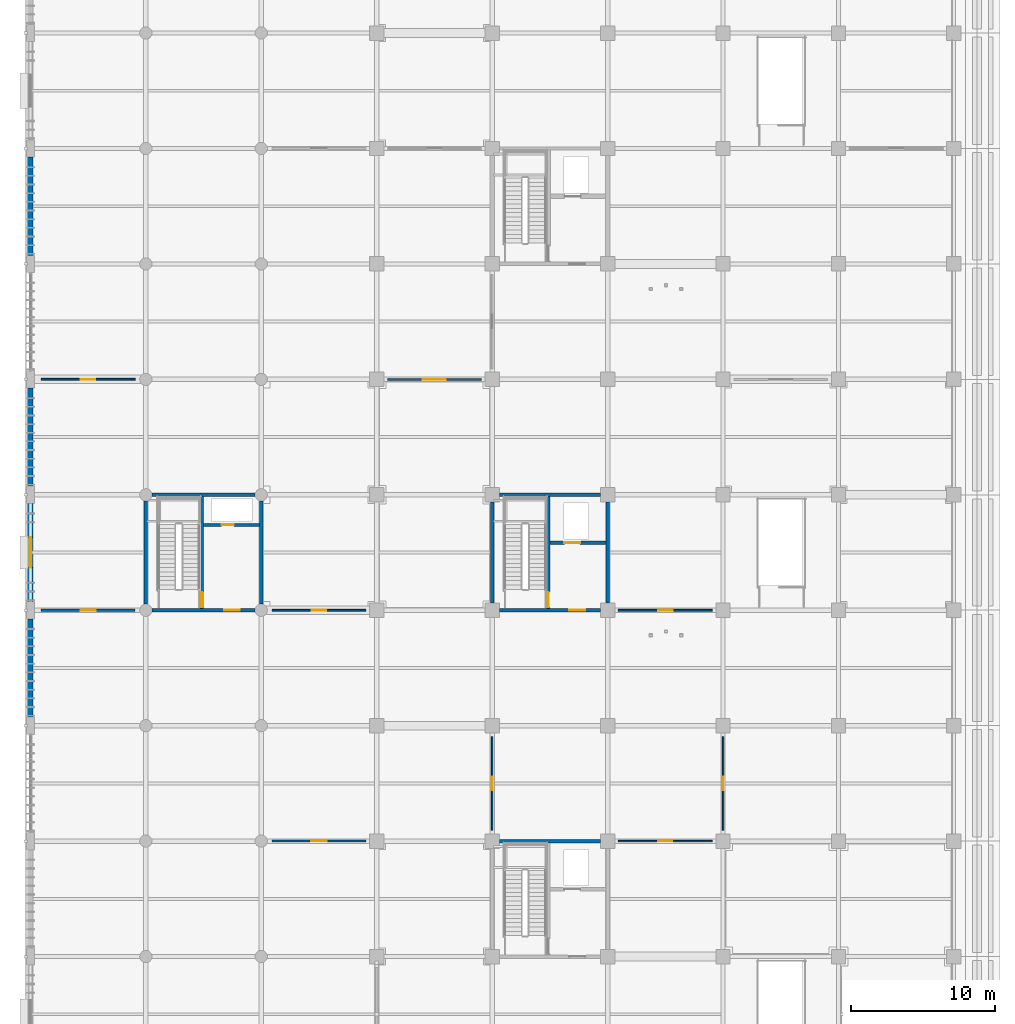
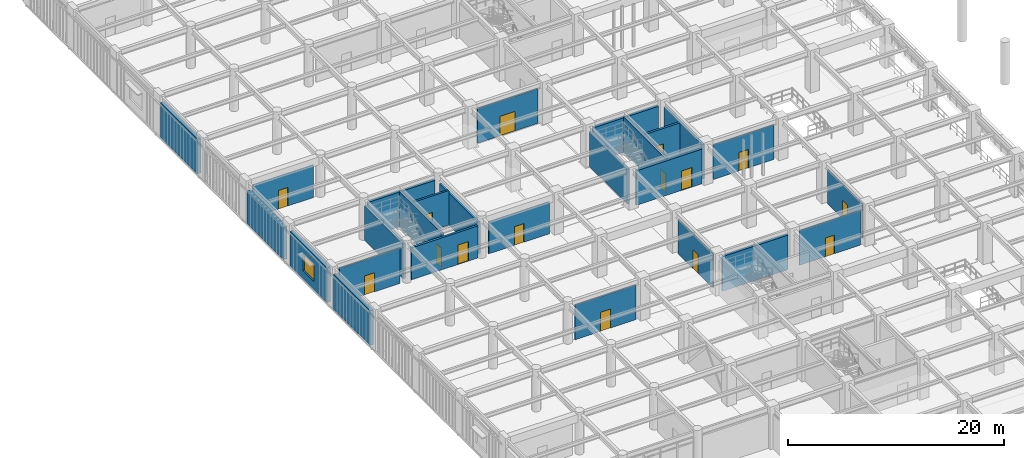
# One storey, part 74 of 117: 26 walls, 15 doors, 1 window, 16 openings.
"""IFC4 building model written with IfcOpenShell, lengths in metres."""

from ifc_helpers import new_model, si_unit, direction, frame, frame_2d, origin, place, context, subcontext, project, spatial, rectangle, extrude, material, layer, layer_set, type_object, element, fill, save


model = new_model("IFC4")

# Units and contexts
model_context = context("Model", 3, precision=1e-05, world=origin(), true_north=direction((0.0, 1.0)))
body_context = subcontext(model_context, "Body", "Model", "MODEL_VIEW")
ifc_project = project(units=[si_unit("LENGTHUNIT", "METRE"), si_unit("AREAUNIT", "SQUARE_METRE"), si_unit("VOLUMEUNIT", "CUBIC_METRE"), si_unit("PLANEANGLEUNIT", "RADIAN"), si_unit("MASSUNIT", "GRAM", prefix="KILO")], contexts=[model_context])

# Site, building, storey
site_placement = place(None, origin())
site = spatial("IfcSite", under=ifc_project, at=site_placement, CompositionType="ELEMENT")
building_placement = place(site_placement, origin())
building = spatial("IfcBuilding", under=site, at=building_placement, Name="Haebicheon Civic Stadium", CompositionType="ELEMENT")
storey_placement = place(building_placement, frame((0.0, 0.0, 4.800048828125)))
storey = spatial("IfcBuildingStorey", under=building, at=storey_placement, Name="L02", CompositionType="ELEMENT", Elevation=4.800048828125)

# Wall
ifc_material_1 = material(Name="Concrete C40/50", Category="concrete")
ifc_layer_1 = layer(ifc_material_1, 0.239990234375, Name="Concrete C40/50")
ifc_layer_set_1 = layer_set([ifc_layer_1], Name="Concrete C40/50")
wall_type_1 = type_object("IfcWallType", Name="CW-SHR-240", PredefinedType="SHEAR", material=ifc_layer_set_1)
wall_1_placement = place(storey_placement, frame((32.5, 64.0, 0.0), z_axis=(0.0, 0.0, 1.0), x_axis=(1.0, 0.0, 0.0)))
element("IfcWall", 1, at=wall_1_placement, inside=storey, type_object=wall_type_1, material=ifc_layer_set_1, Name="KC-02 L02 north core shear wall", PredefinedType="SHEAR", context=body_context, shape_type="SweptSolid", body=[
    extrude(rectangle(XDim=7.0, YDim=0.239990234375, at=frame_2d((3.5, 0.0))), origin(), (0.0, 0.0, 1.0), 3.909912109375),
])

# Wall, opening, door
wall_2_placement = place(storey_placement, frame((32.5, 80.0, 0.0), z_axis=(0.0, 0.0, 1.0), x_axis=(1.0, 0.0, 0.0)))
wall_2 = element("IfcWall", 2, at=wall_2_placement, inside=storey, type_object=wall_type_1, material=ifc_layer_set_1, Name="KC-03 L02 south core shear wall", PredefinedType="SHEAR", context=body_context, shape_type="SweptSolid", body=[
    extrude(rectangle(XDim=7.0, YDim=0.239990234375, at=frame_2d((3.5, 0.0))), origin(), (0.0, 0.0, 1.0), 3.909912109375),
])
opening_1_placement = place(wall_2_placement, frame((4.85009765625, 0.0, 0.0)))
opening_1 = element("IfcOpeningElement", 3, at=opening_1_placement, cuts=wall_2, Name="Opening D-L02-KC-03-LOB", PredefinedType="OPENING", context=body_context, shape_type="SweptSolid", body=[
    extrude(rectangle(XDim=1.10009765625, YDim=2.199951171875, at=frame_2d((0.550048828125, 1.10009765625))), frame((0.0, 0.1298828125, 0.0), z_axis=(0.0, -1.0, 0.0), x_axis=(1.0, 0.0, 0.0)), (0.0, 0.0, 1.0), 0.260009765625),
])
ifc_material_2 = material(Name="Galvanised painted steel SM355", Category="steel")
door_type_1 = type_object("IfcDoorType", Name="ID-FD-1100", OperationType="NOTDEFINED", PredefinedType="DOOR", material=ifc_material_2)
door_1_placement = place(opening_1_placement, origin())
door_1 = element("IfcDoor", 4, at=door_1_placement, inside=storey, type_object=door_type_1, material=ifc_material_2, Name="L02 KC-03 lobby fire door", OperationType="SINGLE_SWING_RIGHT", OverallHeight=2.199951171875, OverallWidth=1.10009765625, PredefinedType="DOOR", context=body_context, shape_type="SweptSolid", body=[
    extrude(rectangle(XDim=1.10009765625, YDim=2.199951171875, at=frame_2d((0.550048828125, 1.10009765625))), frame((0.0, 0.02490234375, 0.0), z_axis=(0.0, -1.0, 0.0), x_axis=(1.0, 0.0, 0.0)), (0.0, 0.0, 1.0), 0.050048828125),
])
fill(opening_1, door_1)

# Walls
for number, where, z_axis, x_axis, name in (
    (5, (32.5, 88.0, 0.0), (0.0, 0.0, 1.0), (1.0, 0.0, 0.0), "KC-03 L02 north core shear wall"),
    (6, (32.0, 80.5, 0.0), (0.0, 0.0, 1.0), (0.0, 1.0, 0.0), "KC-03 L02 west core shear wall"),
    (7, (40.0, 80.5, 0.0), (0.0, 0.0, 1.0), (0.0, 1.0, 0.0), "KC-03 L02 east core shear wall"),
):
    element("IfcWall", number, at=place(storey_placement, frame(where, z_axis=z_axis, x_axis=x_axis)), inside=storey, type_object=wall_type_1, material=ifc_layer_set_1, Name=name, PredefinedType="SHEAR", context=body_context, shape_type="SweptSolid", body=[
        extrude(rectangle(XDim=7.0, YDim=0.239990234375, at=frame_2d((3.5, 0.0))), origin(), (0.0, 0.0, 1.0), 3.909912109375),
    ])

# Wall, opening, door
wall_3_placement = place(storey_placement, frame((35.8798828125, 80.1201171875, 0.0), z_axis=(0.0, 0.0, 1.0), x_axis=(0.0, 1.0, 0.0)))
wall_3 = element("IfcWall", 8, at=wall_3_placement, inside=storey, type_object=wall_type_1, material=ifc_layer_set_1, Name="KC-03 L02 stair-lobby dividing shear wall", PredefinedType="SHEAR", context=body_context, shape_type="SweptSolid", body=[
    extrude(rectangle(XDim=7.759765625, YDim=0.239990234375, at=frame_2d((3.8798828125, 0.0))), origin(), (0.0, 0.0, 1.0), 4.010009765625),
])
opening_2_placement = place(wall_3_placement, frame((0.080078125, 0.0, 0.0)))
opening_2 = element("IfcOpeningElement", 9, at=opening_2_placement, cuts=wall_3, Name="Opening D-L02-KC-03-STR", PredefinedType="OPENING", context=body_context, shape_type="SweptSolid", body=[
    extrude(rectangle(XDim=1.050048828125, YDim=2.14990234375, at=frame_2d((0.52490234375, 1.074951171875))), frame((0.0, 0.1298828125, 0.0), z_axis=(0.0, -1.0, 0.0), x_axis=(1.0, 0.0, 0.0)), (0.0, 0.0, 1.0), 0.260009765625),
])
ifc_material_3 = material(Name="Galvanised painted steel SM355", Category="steel")
door_type_2 = type_object("IfcDoorType", Name="ID-FD-1050", OperationType="NOTDEFINED", PredefinedType="DOOR", material=ifc_material_3)
door_2_placement = place(opening_2_placement, origin())
door_2 = element("IfcDoor", 10, at=door_2_placement, inside=storey, type_object=door_type_2, material=ifc_material_3, Name="L02 ST-03 stairwell escape door", OperationType="SINGLE_SWING_LEFT", OverallHeight=2.14990234375, OverallWidth=1.050048828125, PredefinedType="DOOR", context=body_context, shape_type="SweptSolid", body=[
    extrude(rectangle(XDim=1.050048828125, YDim=2.14990234375, at=frame_2d((0.52490234375, 1.074951171875))), frame((0.0, 0.02490234375, 0.0), z_axis=(0.0, -1.0, 0.0), x_axis=(1.0, 0.0, 0.0)), (0.0, 0.0, 1.0), 0.050048828125),
])
fill(opening_2, door_2)

wall_4_placement = place(storey_placement, frame((36.0, 84.679931640625, 0.0), z_axis=(0.0, 0.0, 1.0), x_axis=(1.0, 0.0, 0.0)))
wall_4 = element("IfcWall", 11, at=wall_4_placement, inside=storey, type_object=wall_type_1, material=ifc_layer_set_1, Name="KC-03 L02 lift shaft front wall", PredefinedType="SHEAR", context=body_context, shape_type="SweptSolid", body=[
    extrude(rectangle(XDim=3.8798828125, YDim=0.239990234375, at=frame_2d((1.93994140625, 0.0))), origin(), (0.0, 0.0, 1.0), 3.909912109375),
])
opening_3_placement = place(wall_4_placement, frame((1.0, 0.0, 0.0)))
opening_3 = element("IfcOpeningElement", 12, at=opening_3_placement, cuts=wall_4, Name="Opening LD-03-L02", PredefinedType="OPENING", context=body_context, shape_type="SweptSolid", body=[
    extrude(rectangle(XDim=1.10009765625, YDim=2.14990234375, at=frame_2d((0.550048828125, 1.074951171875))), frame((0.0, 0.1298828125, 0.0), z_axis=(0.0, -1.0, 0.0), x_axis=(1.0, 0.0, 0.0)), (0.0, 0.0, 1.0), 0.260009765625),
])
ifc_material_4 = material(Name="Stainless steel 316", Category="steel")
door_type_3 = type_object("IfcDoorType", Name="ID-LD-1100", OperationType="NOTDEFINED", PredefinedType="DOOR", material=ifc_material_4)
door_3_placement = place(opening_3_placement, origin())
door_3 = element("IfcDoor", 13, at=door_3_placement, inside=storey, type_object=door_type_3, material=ifc_material_4, Name="LF-03 lift landing sliding door L02", OperationType="SLIDING_TO_LEFT", OverallHeight=2.14990234375, OverallWidth=1.10009765625, PredefinedType="DOOR", context=body_context, shape_type="SweptSolid", body=[
    extrude(rectangle(XDim=1.10009765625, YDim=2.14990234375, at=frame_2d((0.550048828125, 1.074951171875))), frame((0.0, 0.02490234375, 0.0), z_axis=(0.0, -1.0, 0.0), x_axis=(1.0, 0.0, 0.0)), (0.0, 0.0, 1.0), 0.050048828125),
])
fill(opening_3, door_3)

wall_5_placement = place(storey_placement, frame((8.425048828125, 80.0, 0.0), z_axis=(0.0, 0.0, 1.0), x_axis=(1.0, 0.0, 0.0)))
wall_5 = element("IfcWall", 14, at=wall_5_placement, inside=storey, type_object=wall_type_1, material=ifc_layer_set_1, Name="KC-15 L02 south core shear wall", PredefinedType="SHEAR", context=body_context, shape_type="SweptSolid", body=[
    extrude(rectangle(XDim=7.14990234375, YDim=0.239990234375, at=frame_2d((3.574951171875, 0.0))), origin(), (0.0, 0.0, 1.0), 3.60986328125),
])
opening_4_placement = place(wall_5_placement, frame((5.0, 0.0, 0.0)))
opening_4 = element("IfcOpeningElement", 15, at=opening_4_placement, cuts=wall_5, Name="Opening D-L02-KC-15-LOB", PredefinedType="OPENING", context=body_context, shape_type="SweptSolid", body=[
    extrude(rectangle(XDim=1.10009765625, YDim=2.199951171875, at=frame_2d((0.550048828125, 1.10009765625))), frame((0.0, 0.1298828125, 0.0), z_axis=(0.0, -1.0, 0.0), x_axis=(1.0, 0.0, 0.0)), (0.0, 0.0, 1.0), 0.260009765625),
])
door_4_placement = place(opening_4_placement, origin())
door_4 = element("IfcDoor", 16, at=door_4_placement, inside=storey, type_object=door_type_1, material=ifc_material_2, Name="L02 KC-15 lobby fire door", OperationType="SINGLE_SWING_RIGHT", OverallHeight=2.199951171875, OverallWidth=1.10009765625, PredefinedType="DOOR", context=body_context, shape_type="SweptSolid", body=[
    extrude(rectangle(XDim=1.10009765625, YDim=2.199951171875, at=frame_2d((0.550048828125, 1.10009765625))), frame((0.0, 0.02490234375, 0.0), z_axis=(0.0, -1.0, 0.0), x_axis=(1.0, 0.0, 0.0)), (0.0, 0.0, 1.0), 0.050048828125),
])
fill(opening_4, door_4)

# Walls
for number, where, z_axis, x_axis, name in (
    (17, (8.425048828125, 88.0, 0.0), (0.0, 0.0, 1.0), (1.0, 0.0, 0.0), "KC-15 L02 north core shear wall"),
    (18, (8.0, 80.425048828125, 0.0), (0.0, 0.0, 1.0), (0.0, 1.0, 0.0), "KC-15 L02 west core shear wall"),
):
    element("IfcWall", number, at=place(storey_placement, frame(where, z_axis=z_axis, x_axis=x_axis)), inside=storey, type_object=wall_type_1, material=ifc_layer_set_1, Name=name, PredefinedType="SHEAR", context=body_context, shape_type="SweptSolid", body=[
        extrude(rectangle(XDim=7.14990234375, YDim=0.239990234375, at=frame_2d((3.574951171875, 0.0))), origin(), (0.0, 0.0, 1.0), 3.909912109375),
    ])
wall_6_placement = place(storey_placement, frame((16.0, 80.425048828125, 0.0), z_axis=(0.0, 0.0, 1.0), x_axis=(0.0, 1.0, 0.0)))
element("IfcWall", 19, at=wall_6_placement, inside=storey, type_object=wall_type_1, material=ifc_layer_set_1, Name="KC-15 L02 east core shear wall", PredefinedType="SHEAR", context=body_context, shape_type="SweptSolid", body=[
    extrude(rectangle(XDim=7.14990234375, YDim=0.239990234375, at=frame_2d((3.574951171875, 0.0))), origin(), (0.0, 0.0, 1.0), 3.60986328125),
])

# Wall, opening, door
wall_7_placement = place(storey_placement, frame((11.8798828125, 80.1201171875, 0.0), z_axis=(0.0, 0.0, 1.0), x_axis=(0.0, 1.0, 0.0)))
wall_7 = element("IfcWall", 20, at=wall_7_placement, inside=storey, type_object=wall_type_1, material=ifc_layer_set_1, Name="KC-15 L02 stair-lobby dividing shear wall", PredefinedType="SHEAR", context=body_context, shape_type="SweptSolid", body=[
    extrude(rectangle(XDim=7.759765625, YDim=0.239990234375, at=frame_2d((3.8798828125, 0.0))), origin(), (0.0, 0.0, 1.0), 4.010009765625),
])
opening_5_placement = place(wall_7_placement, frame((0.080078125, 0.0, 0.0)))
opening_5 = element("IfcOpeningElement", 21, at=opening_5_placement, cuts=wall_7, Name="Opening D-L02-KC-15-STR", PredefinedType="OPENING", context=body_context, shape_type="SweptSolid", body=[
    extrude(rectangle(XDim=1.050048828125, YDim=2.14990234375, at=frame_2d((0.52490234375, 1.074951171875))), frame((0.0, 0.1298828125, 0.0), z_axis=(0.0, -1.0, 0.0), x_axis=(1.0, 0.0, 0.0)), (0.0, 0.0, 1.0), 0.260009765625),
])
door_5_placement = place(opening_5_placement, origin())
door_5 = element("IfcDoor", 22, at=door_5_placement, inside=storey, type_object=door_type_2, material=ifc_material_3, Name="L02 ST-15 stairwell escape door", OperationType="SINGLE_SWING_LEFT", OverallHeight=2.14990234375, OverallWidth=1.050048828125, PredefinedType="DOOR", context=body_context, shape_type="SweptSolid", body=[
    extrude(rectangle(XDim=1.050048828125, YDim=2.14990234375, at=frame_2d((0.52490234375, 1.074951171875))), frame((0.0, 0.02490234375, 0.0), z_axis=(0.0, -1.0, 0.0), x_axis=(1.0, 0.0, 0.0)), (0.0, 0.0, 1.0), 0.050048828125),
])
fill(opening_5, door_5)

# Wall
ifc_material_5 = material(Name="Concrete C40/50", Category="concrete")
ifc_layer_2 = layer(ifc_material_5, 0.3798828125, Name="Concrete C40/50")
ifc_layer_set_2 = layer_set([ifc_layer_2], Name="Concrete C40/50")
wall_type_2 = type_object("IfcWallType", Name="EW-BM-380", PredefinedType="SOLIDWALL", material=ifc_layer_set_2)
wall_8_placement = place(storey_placement, frame((0.0, 72.60009765625, 0.0), z_axis=(0.0, 0.0, 1.0), x_axis=(0.0, 1.0, 0.0)))
element("IfcWall", 23, at=wall_8_placement, inside=storey, type_object=wall_type_2, material=ifc_layer_set_2, Name="L02 board-marked concrete facade wall 00-09-W", PredefinedType="SOLIDWALL", context=body_context, shape_type="SweptSolid", body=[
    extrude(rectangle(XDim=6.7998046875, YDim=0.3798828125, at=frame_2d((3.39990234375, 0.0))), origin(), (0.0, 0.0, 1.0), 3.949951171875),
])

# Wall, opening, window
wall_9_placement = place(storey_placement, frame((0.0, 80.60009765625, 0.0), z_axis=(0.0, 0.0, 1.0), x_axis=(0.0, 1.0, 0.0)))
wall_9 = element("IfcWall", 24, at=wall_9_placement, inside=storey, type_object=wall_type_2, material=ifc_layer_set_2, Name="L02 board-marked concrete facade wall 00-10-W", PredefinedType="SOLIDWALL", context=body_context, shape_type="SweptSolid", body=[
    extrude(rectangle(XDim=6.7998046875, YDim=0.3798828125, at=frame_2d((3.39990234375, 0.0))), origin(), (0.0, 0.0, 1.0), 3.949951171875),
])
opening_6_placement = place(wall_9_placement, frame((2.35009765625, 0.0, 0.949951171875)))
opening_6 = element("IfcOpeningElement", 25, at=opening_6_placement, cuts=wall_9, Name="Opening WIN-210x190", PredefinedType="OPENING", context=body_context, shape_type="SweptSolid", body=[
    extrude(rectangle(XDim=2.10009765625, YDim=1.89990234375, at=frame_2d((1.050048828125, 0.949951171875))), frame((0.0, 0.199951171875, 0.0), z_axis=(0.0, -1.0, 0.0), x_axis=(1.0, 0.0, 0.0)), (0.0, 0.0, 1.0), 0.39990234375),
])
ifc_material_6 = material(Name="Anodised aluminium and laminated glass", Category="aluminium")
window_type = type_object("IfcWindowType", Name="WIN-210x190", PartitioningType="SINGLE_PANEL", PredefinedType="WINDOW", material=ifc_material_6)
window_placement = place(opening_6_placement, origin())
window = element("IfcWindow", 26, at=window_placement, inside=storey, type_object=window_type, material=ifc_material_6, Name="L02 facade window 031", OverallHeight=1.89990234375, OverallWidth=2.10009765625, PartitioningType="SINGLE_PANEL", PredefinedType="WINDOW", context=body_context, shape_type="SweptSolid", body=[
    extrude(rectangle(XDim=2.10009765625, YDim=1.89990234375, at=frame_2d((1.050048828125, 0.949951171875))), frame((0.0, 0.030029296875, 0.0), z_axis=(0.0, -1.0, 0.0), x_axis=(1.0, 0.0, 0.0)), (0.0, 0.0, 1.0), 0.06005859375),
])
fill(opening_6, window)

# Walls
wall_10_placement = place(storey_placement, frame((0.0, 88.60009765625, 0.0), z_axis=(0.0, 0.0, 1.0), x_axis=(0.0, 1.0, 0.0)))
element("IfcWall", 27, at=wall_10_placement, inside=storey, type_object=wall_type_2, material=ifc_layer_set_2, Name="L02 board-marked concrete facade wall 00-11-W", PredefinedType="SOLIDWALL", context=body_context, shape_type="SweptSolid", body=[
    extrude(rectangle(XDim=6.7998046875, YDim=0.3798828125, at=frame_2d((3.39990234375, 0.0))), origin(), (0.0, 0.0, 1.0), 3.669921875),
])
wall_11_placement = place(storey_placement, frame((0.0, 104.60009765625, 0.0), z_axis=(0.0, 0.0, 1.0), x_axis=(0.0, 1.0, 0.0)))
element("IfcWall", 28, at=wall_11_placement, inside=storey, type_object=wall_type_2, material=ifc_layer_set_2, Name="L02 board-marked concrete facade wall 00-13-W", PredefinedType="SOLIDWALL", context=body_context, shape_type="SweptSolid", body=[
    extrude(rectangle(XDim=6.7998046875, YDim=0.3798828125, at=frame_2d((3.39990234375, 0.0))), origin(), (0.0, 0.0, 1.0), 3.949951171875),
])

# Wall, opening, door
ifc_material_7 = material(Name="Concrete C35/45", Category="concrete")
ifc_layer_3 = layer(ifc_material_7, 0.199951171875, Name="Concrete C35/45")
ifc_layer_set_3 = layer_set([ifc_layer_3], Name="Concrete C35/45")
wall_type_3 = type_object("IfcWallType", Name="IW-FIR-200", PredefinedType="PARTITIONING", material=ifc_layer_set_3)
wall_12_placement = place(storey_placement, frame((12.0, 85.919921875, 0.0), z_axis=(0.0, 0.0, 1.0), x_axis=(1.0, 0.0, 0.0)))
wall_12 = element("IfcWall", 29, at=wall_12_placement, inside=storey, type_object=wall_type_3, material=ifc_layer_set_3, Name="KC-15 L02 service riser wall", PredefinedType="PARTITIONING", context=body_context, shape_type="SweptSolid", body=[
    extrude(rectangle(XDim=3.8798828125, YDim=0.199951171875, at=frame_2d((1.93994140625, 0.0))), origin(), (0.0, 0.0, 1.0), 3.909912109375),
])
opening_7_placement = place(wall_12_placement, frame((1.25, 0.0, 0.0)))
opening_7 = element("IfcOpeningElement", 30, at=opening_7_placement, cuts=wall_12, Name="Opening D-L02-KC-15-RSR", PredefinedType="OPENING", context=body_context, shape_type="SweptSolid", body=[
    extrude(rectangle(XDim=0.85009765625, YDim=2.050048828125, at=frame_2d((0.425048828125, 1.02490234375))), frame((0.0, 0.10986328125, 0.0), z_axis=(0.0, -1.0, 0.0), x_axis=(1.0, 0.0, 0.0)), (0.0, 0.0, 1.0), 0.219970703125),
])
ifc_material_8 = material(Name="Galvanised painted steel SM355", Category="steel")
door_type_4 = type_object("IfcDoorType", Name="ID-RSR-0850", OperationType="NOTDEFINED", PredefinedType="TRAPDOOR", material=ifc_material_8)
door_6_placement = place(opening_7_placement, origin())
door_6 = element("IfcDoor", 31, at=door_6_placement, inside=storey, type_object=door_type_4, material=ifc_material_8, Name="L02 KC-15 riser access door", OperationType="SINGLE_SWING_RIGHT", OverallHeight=2.050048828125, OverallWidth=0.85009765625, PredefinedType="TRAPDOOR", context=body_context, shape_type="SweptSolid", body=[
    extrude(rectangle(XDim=0.85009765625, YDim=2.050048828125, at=frame_2d((0.425048828125, 1.02490234375))), frame((0.0, 0.02490234375, 0.0), z_axis=(0.0, -1.0, 0.0), x_axis=(1.0, 0.0, 0.0)), (0.0, 0.0, 1.0), 0.050048828125),
])
fill(opening_7, door_6)

ifc_material_9 = material(Name="Anodised aluminium and laminated glass", Category="aluminium")
ifc_layer_4 = layer(ifc_material_9, 0.10009765625, Name="Anodised aluminium and laminated glass")
ifc_layer_set_4 = layer_set([ifc_layer_4], Name="Anodised aluminium and laminated glass")
wall_type_4 = type_object("IfcWallType", Name="IW-PRT-100", PredefinedType="PARTITIONING", material=ifc_layer_set_4)
wall_13_placement = place(storey_placement, frame((32.0, 64.75, 0.0), z_axis=(0.0, 0.0, 1.0), x_axis=(0.0, 1.0, 0.0)))
wall_13 = element("IfcWall", 32, at=wall_13_placement, inside=storey, type_object=wall_type_4, material=ifc_layer_set_4, Name="L02 First Aid Station partition wall", PredefinedType="PARTITIONING", context=body_context, shape_type="SweptSolid", body=[
    extrude(rectangle(XDim=6.5, YDim=0.10009765625, at=frame_2d((3.25, 0.0))), origin(), (0.0, 0.0, 1.0), 3.909912109375),
])
opening_8_placement = place(wall_13_placement, frame((2.77490234375, 0.0, 0.0)))
opening_8 = element("IfcOpeningElement", 33, at=opening_8_placement, cuts=wall_13, Name="Opening D-L02-189", PredefinedType="OPENING", context=body_context, shape_type="SweptSolid", body=[
    extrude(rectangle(XDim=0.949951171875, YDim=2.10009765625, at=frame_2d((0.47509765625, 1.050048828125))), frame((0.0, 0.06005859375, 0.0), z_axis=(0.0, -1.0, 0.0), x_axis=(1.0, 0.0, 0.0)), (0.0, 0.0, 1.0), 0.1201171875),
])
ifc_material_10 = material(Name="Engineered hardwood timber", Category="wood")
door_type_5 = type_object("IfcDoorType", Name="ID-RM-0950", OperationType="NOTDEFINED", PredefinedType="DOOR", material=ifc_material_10)
door_7_placement = place(opening_8_placement, origin())
door_7 = element("IfcDoor", 34, at=door_7_placement, inside=storey, type_object=door_type_5, material=ifc_material_10, Name="L02 First Aid Station entrance door D-L02-189", OperationType="SINGLE_SWING_RIGHT", OverallHeight=2.10009765625, OverallWidth=0.949951171875, PredefinedType="DOOR", context=body_context, shape_type="SweptSolid", body=[
    extrude(rectangle(XDim=0.949951171875, YDim=2.10009765625, at=frame_2d((0.47509765625, 1.050048828125))), frame((0.0, 0.02490234375, 0.0), z_axis=(0.0, -1.0, 0.0), x_axis=(1.0, 0.0, 0.0)), (0.0, 0.0, 1.0), 0.050048828125),
])
fill(opening_8, door_7)

wall_14_placement = place(storey_placement, frame((40.75, 64.0, 0.0), z_axis=(0.0, 0.0, 1.0), x_axis=(1.0, 0.0, 0.0)))
wall_14 = element("IfcWall", 35, at=wall_14_placement, inside=storey, type_object=wall_type_4, material=ifc_layer_set_4, Name="L02 Family Viewing Lounge partition wall", PredefinedType="PARTITIONING", context=body_context, shape_type="SweptSolid", body=[
    extrude(rectangle(XDim=6.5, YDim=0.10009765625, at=frame_2d((3.25, 0.0))), origin(), (0.0, 0.0, 1.0), 3.909912109375),
])
opening_9_placement = place(wall_14_placement, frame((2.77490234375, 0.0, 0.0)))
opening_9 = element("IfcOpeningElement", 36, at=opening_9_placement, cuts=wall_14, Name="Opening D-L02-195", PredefinedType="OPENING", context=body_context, shape_type="SweptSolid", body=[
    extrude(rectangle(XDim=0.949951171875, YDim=2.10009765625, at=frame_2d((0.47509765625, 1.050048828125))), frame((0.0, 0.06005859375, 0.0), z_axis=(0.0, -1.0, 0.0), x_axis=(1.0, 0.0, 0.0)), (0.0, 0.0, 1.0), 0.1201171875),
])
door_8_placement = place(opening_9_placement, origin())
door_8 = element("IfcDoor", 37, at=door_8_placement, inside=storey, type_object=door_type_5, material=ifc_material_10, Name="L02 Family Viewing Lounge entrance door D-L02-195", OperationType="SINGLE_SWING_LEFT", OverallHeight=2.10009765625, OverallWidth=0.949951171875, PredefinedType="DOOR", context=body_context, shape_type="SweptSolid", body=[
    extrude(rectangle(XDim=0.949951171875, YDim=2.10009765625, at=frame_2d((0.47509765625, 1.050048828125))), frame((0.0, 0.02490234375, 0.0), z_axis=(0.0, -1.0, 0.0), x_axis=(1.0, 0.0, 0.0)), (0.0, 0.0, 1.0), 0.050048828125),
])
fill(opening_9, door_8)

wall_15_placement = place(storey_placement, frame((48.0, 64.75, 0.0), z_axis=(0.0, 0.0, 1.0), x_axis=(0.0, 1.0, 0.0)))
wall_15 = element("IfcWall", 38, at=wall_15_placement, inside=storey, type_object=wall_type_4, material=ifc_layer_set_4, Name="L02 First Aid Station partition wall", PredefinedType="PARTITIONING", context=body_context, shape_type="SweptSolid", body=[
    extrude(rectangle(XDim=6.5, YDim=0.10009765625, at=frame_2d((3.25, 0.0))), origin(), (0.0, 0.0, 1.0), 3.909912109375),
])
opening_10_placement = place(wall_15_placement, frame((2.77490234375, 0.0, 0.0)))
opening_10 = element("IfcOpeningElement", 39, at=opening_10_placement, cuts=wall_15, Name="Opening D-L02-203", PredefinedType="OPENING", context=body_context, shape_type="SweptSolid", body=[
    extrude(rectangle(XDim=0.949951171875, YDim=2.10009765625, at=frame_2d((0.47509765625, 1.050048828125))), frame((0.0, 0.06005859375, 0.0), z_axis=(0.0, -1.0, 0.0), x_axis=(1.0, 0.0, 0.0)), (0.0, 0.0, 1.0), 0.1201171875),
])
door_9_placement = place(opening_10_placement, origin())
door_9 = element("IfcDoor", 40, at=door_9_placement, inside=storey, type_object=door_type_5, material=ifc_material_10, Name="L02 First Aid Station entrance door D-L02-203", OperationType="SINGLE_SWING_RIGHT", OverallHeight=2.10009765625, OverallWidth=0.949951171875, PredefinedType="DOOR", context=body_context, shape_type="SweptSolid", body=[
    extrude(rectangle(XDim=0.949951171875, YDim=2.10009765625, at=frame_2d((0.47509765625, 1.050048828125))), frame((0.0, 0.02490234375, 0.0), z_axis=(0.0, -1.0, 0.0), x_axis=(1.0, 0.0, 0.0)), (0.0, 0.0, 1.0), 0.050048828125),
])
fill(opening_10, door_9)

ifc_material_11 = material(Name="Gypsum plasterboard on steel studs", Category="gypsum")
ifc_layer_5 = layer(ifc_material_11, 0.1201171875, Name="Gypsum plasterboard on steel studs")
ifc_layer_set_5 = layer_set([ifc_layer_5], Name="Gypsum plasterboard on steel studs")
wall_type_5 = type_object("IfcWallType", Name="IW-PRT-120", PredefinedType="PARTITIONING", material=ifc_layer_set_5)
wall_16_placement = place(storey_placement, frame((0.75, 96.0, 0.0), z_axis=(0.0, 0.0, 1.0), x_axis=(1.0, 0.0, 0.0)))
wall_16 = element("IfcWall", 41, at=wall_16_placement, inside=storey, type_object=wall_type_5, material=ifc_layer_set_5, Name="L02 Club Museum Archive Gallery partition wall", PredefinedType="PARTITIONING", context=body_context, shape_type="SweptSolid", body=[
    extrude(rectangle(XDim=6.5, YDim=0.1201171875, at=frame_2d((3.25, 0.0))), origin(), (0.0, 0.0, 1.0), 3.669921875),
])
opening_11_placement = place(wall_16_placement, frame((2.75, 0.0, 0.0)))
opening_11 = element("IfcOpeningElement", 42, at=opening_11_placement, cuts=wall_16, Name="Opening D-L02-250", PredefinedType="OPENING", context=body_context, shape_type="SweptSolid", body=[
    extrude(rectangle(XDim=1.0, YDim=2.10009765625, at=frame_2d((0.5, 1.050048828125))), frame((0.0, 0.070068359375, 0.0), z_axis=(0.0, -1.0, 0.0), x_axis=(1.0, 0.0, 0.0)), (0.0, 0.0, 1.0), 0.14013671875),
])
ifc_material_12 = material(Name="Engineered hardwood timber", Category="wood")
door_type_6 = type_object("IfcDoorType", Name="ID-RM-1000", OperationType="NOTDEFINED", PredefinedType="DOOR", material=ifc_material_12)
door_10_placement = place(opening_11_placement, origin())
door_10 = element("IfcDoor", 43, at=door_10_placement, inside=storey, type_object=door_type_6, material=ifc_material_12, Name="L02 Club Museum Archive Gallery entrance door D-L02-250", OperationType="SINGLE_SWING_LEFT", OverallHeight=2.10009765625, OverallWidth=1.0, PredefinedType="DOOR", context=body_context, shape_type="SweptSolid", body=[
    extrude(rectangle(XDim=1.0, YDim=2.10009765625, at=frame_2d((0.5, 1.050048828125))), frame((0.0, 0.02490234375, 0.0), z_axis=(0.0, -1.0, 0.0), x_axis=(1.0, 0.0, 0.0)), (0.0, 0.0, 1.0), 0.050048828125),
])
fill(opening_11, door_10)

wall_17_placement = place(storey_placement, frame((16.75, 80.0, 0.0), z_axis=(0.0, 0.0, 1.0), x_axis=(1.0, 0.0, 0.0)))
wall_17 = element("IfcWall", 44, at=wall_17_placement, inside=storey, type_object=wall_type_5, material=ifc_layer_set_5, Name="L02 Club Museum Archive Gallery partition wall", PredefinedType="PARTITIONING", context=body_context, shape_type="SweptSolid", body=[
    extrude(rectangle(XDim=6.5, YDim=0.1201171875, at=frame_2d((3.25, 0.0))), origin(), (0.0, 0.0, 1.0), 3.60986328125),
])
opening_12_placement = place(wall_17_placement, frame((2.75, 0.0, 0.0)))
opening_12 = element("IfcOpeningElement", 45, at=opening_12_placement, cuts=wall_17, Name="Opening D-L02-254", PredefinedType="OPENING", context=body_context, shape_type="SweptSolid", body=[
    extrude(rectangle(XDim=1.0, YDim=2.10009765625, at=frame_2d((0.5, 1.050048828125))), frame((0.0, 0.070068359375, 0.0), z_axis=(0.0, -1.0, 0.0), x_axis=(1.0, 0.0, 0.0)), (0.0, 0.0, 1.0), 0.14013671875),
])
door_11_placement = place(opening_12_placement, origin())
door_11 = element("IfcDoor", 46, at=door_11_placement, inside=storey, type_object=door_type_6, material=ifc_material_12, Name="L02 Club Museum Archive Gallery entrance door D-L02-254", OperationType="SINGLE_SWING_LEFT", OverallHeight=2.10009765625, OverallWidth=1.0, PredefinedType="DOOR", context=body_context, shape_type="SweptSolid", body=[
    extrude(rectangle(XDim=1.0, YDim=2.10009765625, at=frame_2d((0.5, 1.050048828125))), frame((0.0, 0.02490234375, 0.0), z_axis=(0.0, -1.0, 0.0), x_axis=(1.0, 0.0, 0.0)), (0.0, 0.0, 1.0), 0.050048828125),
])
fill(opening_12, door_11)

ifc_material_13 = material(Name="Gypsum plasterboard on steel studs", Category="gypsum")
ifc_layer_6 = layer(ifc_material_13, 0.1298828125, Name="Gypsum plasterboard on steel studs")
ifc_layer_set_6 = layer_set([ifc_layer_6], Name="Gypsum plasterboard on steel studs")
wall_type_6 = type_object("IfcWallType", Name="IW-PRT-130", PredefinedType="PARTITIONING", material=ifc_layer_set_6)
wall_18_placement = place(storey_placement, frame((40.75, 80.0, 0.0), z_axis=(0.0, 0.0, 1.0), x_axis=(1.0, 0.0, 0.0)))
wall_18 = element("IfcWall", 47, at=wall_18_placement, inside=storey, type_object=wall_type_6, material=ifc_layer_set_6, Name="L02 Food and Beverage Kiosk partition wall", PredefinedType="PARTITIONING", context=body_context, shape_type="SweptSolid", body=[
    extrude(rectangle(XDim=6.5, YDim=0.1298828125, at=frame_2d((3.25, 0.0))), origin(), (0.0, 0.0, 1.0), 3.909912109375),
])
opening_13_placement = place(wall_18_placement, frame((2.75, 0.0, 0.0)))
opening_13 = element("IfcOpeningElement", 48, at=opening_13_placement, cuts=wall_18, Name="Opening D-L02-196", PredefinedType="OPENING", context=body_context, shape_type="SweptSolid", body=[
    extrude(rectangle(XDim=1.0, YDim=2.10009765625, at=frame_2d((0.5, 1.050048828125))), frame((0.0, 0.074951171875, 0.0), z_axis=(0.0, -1.0, 0.0), x_axis=(1.0, 0.0, 0.0)), (0.0, 0.0, 1.0), 0.14990234375),
])
door_12_placement = place(opening_13_placement, origin())
door_12 = element("IfcDoor", 49, at=door_12_placement, inside=storey, type_object=door_type_6, material=ifc_material_12, Name="L02 Food and Beverage Kiosk entrance door D-L02-196", OperationType="SINGLE_SWING_RIGHT", OverallHeight=2.10009765625, OverallWidth=1.0, PredefinedType="DOOR", context=body_context, shape_type="SweptSolid", body=[
    extrude(rectangle(XDim=1.0, YDim=2.10009765625, at=frame_2d((0.5, 1.050048828125))), frame((0.0, 0.02490234375, 0.0), z_axis=(0.0, -1.0, 0.0), x_axis=(1.0, 0.0, 0.0)), (0.0, 0.0, 1.0), 0.050048828125),
])
fill(opening_13, door_12)

ifc_material_14 = material(Name="Gypsum plasterboard on steel studs", Category="gypsum")
ifc_layer_7 = layer(ifc_material_14, 0.14990234375, Name="Gypsum plasterboard on steel studs")
ifc_layer_set_7 = layer_set([ifc_layer_7], Name="Gypsum plasterboard on steel studs")
wall_type_7 = type_object("IfcWallType", Name="IW-PRT-150", PredefinedType="PARTITIONING", material=ifc_layer_set_7)
wall_19_placement = place(storey_placement, frame((24.75, 96.0, 0.0), z_axis=(0.0, 0.0, 1.0), x_axis=(1.0, 0.0, 0.0)))
wall_19 = element("IfcWall", 50, at=wall_19_placement, inside=storey, type_object=wall_type_7, material=ifc_layer_set_7, Name="L02 Family Viewing Lounge partition wall", PredefinedType="PARTITIONING", context=body_context, shape_type="SweptSolid", body=[
    extrude(rectangle(XDim=6.5, YDim=0.14990234375, at=frame_2d((3.25, 0.0))), origin(), (0.0, 0.0, 1.0), 3.909912109375),
])
opening_14_placement = place(wall_19_placement, frame((2.449951171875, 0.0, 0.0)))
opening_14 = element("IfcOpeningElement", 51, at=opening_14_placement, cuts=wall_19, Name="Opening D-L02-190", PredefinedType="OPENING", context=body_context, shape_type="SweptSolid", body=[
    extrude(rectangle(XDim=1.60009765625, YDim=2.199951171875, at=frame_2d((0.800048828125, 1.10009765625))), frame((0.0, 0.0849609375, 0.0), z_axis=(0.0, -1.0, 0.0), x_axis=(1.0, 0.0, 0.0)), (0.0, 0.0, 1.0), 0.169921875),
])
ifc_material_15 = material(Name="Anodised aluminium and laminated glass", Category="aluminium")
door_type_7 = type_object("IfcDoorType", Name="ID-DBL-1600", OperationType="NOTDEFINED", PredefinedType="DOOR", material=ifc_material_15)
door_13_placement = place(opening_14_placement, origin())
door_13 = element("IfcDoor", 52, at=door_13_placement, inside=storey, type_object=door_type_7, material=ifc_material_15, Name="L02 Family Viewing Lounge entrance door D-L02-190", OperationType="DOUBLE_SWING_LEFT", OverallHeight=2.199951171875, OverallWidth=1.60009765625, PredefinedType="DOOR", context=body_context, shape_type="SweptSolid", body=[
    extrude(rectangle(XDim=1.60009765625, YDim=2.199951171875, at=frame_2d((0.800048828125, 1.10009765625))), frame((0.0, 0.02490234375, 0.0), z_axis=(0.0, -1.0, 0.0), x_axis=(1.0, 0.0, 0.0)), (0.0, 0.0, 1.0), 0.050048828125),
])
fill(opening_14, door_13)

wall_20_placement = place(storey_placement, frame((0.75, 80.0, 0.0), z_axis=(0.0, 0.0, 1.0), x_axis=(1.0, 0.0, 0.0)))
wall_20 = element("IfcWall", 53, at=wall_20_placement, inside=storey, type_object=wall_type_7, material=ifc_layer_set_7, Name="L02 Ticketing Administration Suite partition wall", PredefinedType="PARTITIONING", context=body_context, shape_type="SweptSolid", body=[
    extrude(rectangle(XDim=6.5, YDim=0.14990234375, at=frame_2d((3.25, 0.0))), origin(), (0.0, 0.0, 1.0), 3.969970703125),
])
opening_15_placement = place(wall_20_placement, frame((2.72509765625, 0.0, 0.0)))
opening_15 = element("IfcOpeningElement", 54, at=opening_15_placement, cuts=wall_20, Name="Opening D-L02-249", PredefinedType="OPENING", context=body_context, shape_type="SweptSolid", body=[
    extrude(rectangle(XDim=1.050048828125, YDim=2.14990234375, at=frame_2d((0.52490234375, 1.074951171875))), frame((0.0, 0.0849609375, 0.0), z_axis=(0.0, -1.0, 0.0), x_axis=(1.0, 0.0, 0.0)), (0.0, 0.0, 1.0), 0.169921875),
])
ifc_material_16 = material(Name="Engineered hardwood timber", Category="wood")
door_type_8 = type_object("IfcDoorType", Name="ID-RM-1050", OperationType="NOTDEFINED", PredefinedType="DOOR", material=ifc_material_16)
door_14_placement = place(opening_15_placement, origin())
door_14 = element("IfcDoor", 55, at=door_14_placement, inside=storey, type_object=door_type_8, material=ifc_material_16, Name="L02 Ticketing Administration Suite entrance door D-L02-249", OperationType="SINGLE_SWING_RIGHT", OverallHeight=2.14990234375, OverallWidth=1.050048828125, PredefinedType="DOOR", context=body_context, shape_type="SweptSolid", body=[
    extrude(rectangle(XDim=1.050048828125, YDim=2.14990234375, at=frame_2d((0.52490234375, 1.074951171875))), frame((0.0, 0.02490234375, 0.0), z_axis=(0.0, -1.0, 0.0), x_axis=(1.0, 0.0, 0.0)), (0.0, 0.0, 1.0), 0.050048828125),
])
fill(opening_15, door_14)

wall_21_placement = place(storey_placement, frame((16.75, 64.0, 0.0), z_axis=(0.0, 0.0, 1.0), x_axis=(1.0, 0.0, 0.0)))
wall_21 = element("IfcWall", 56, at=wall_21_placement, inside=storey, type_object=wall_type_7, material=ifc_layer_set_7, Name="L02 Ticketing Administration Suite partition wall", PredefinedType="PARTITIONING", context=body_context, shape_type="SweptSolid", body=[
    extrude(rectangle(XDim=6.5, YDim=0.14990234375, at=frame_2d((3.25, 0.0))), origin(), (0.0, 0.0, 1.0), 3.909912109375),
])
opening_16_placement = place(wall_21_placement, frame((2.72509765625, 0.0, 0.0)))
opening_16 = element("IfcOpeningElement", 57, at=opening_16_placement, cuts=wall_21, Name="Opening D-L02-253", PredefinedType="OPENING", context=body_context, shape_type="SweptSolid", body=[
    extrude(rectangle(XDim=1.050048828125, YDim=2.14990234375, at=frame_2d((0.52490234375, 1.074951171875))), frame((0.0, 0.0849609375, 0.0), z_axis=(0.0, -1.0, 0.0), x_axis=(1.0, 0.0, 0.0)), (0.0, 0.0, 1.0), 0.169921875),
])
door_15_placement = place(opening_16_placement, origin())
door_15 = element("IfcDoor", 58, at=door_15_placement, inside=storey, type_object=door_type_8, material=ifc_material_16, Name="L02 Ticketing Administration Suite entrance door D-L02-253", OperationType="SINGLE_SWING_RIGHT", OverallHeight=2.14990234375, OverallWidth=1.050048828125, PredefinedType="DOOR", context=body_context, shape_type="SweptSolid", body=[
    extrude(rectangle(XDim=1.050048828125, YDim=2.14990234375, at=frame_2d((0.52490234375, 1.074951171875))), frame((0.0, 0.02490234375, 0.0), z_axis=(0.0, -1.0, 0.0), x_axis=(1.0, 0.0, 0.0)), (0.0, 0.0, 1.0), 0.050048828125),
])
fill(opening_16, door_15)

save(model, "model.ifc")
